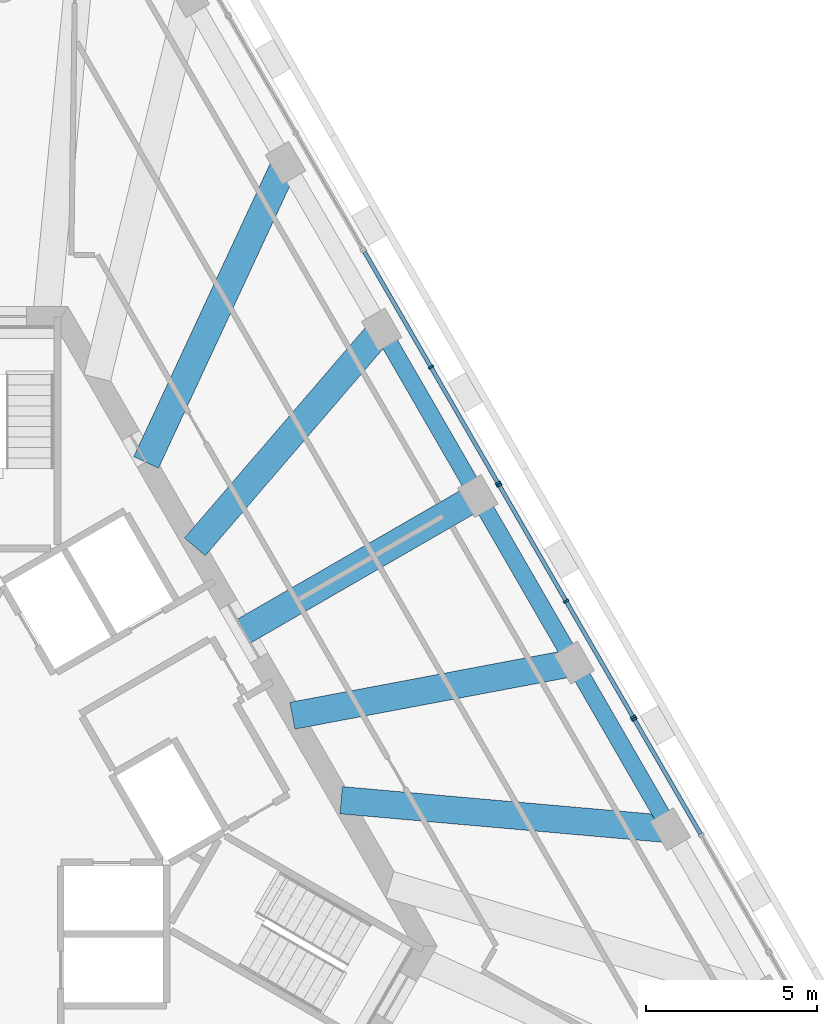
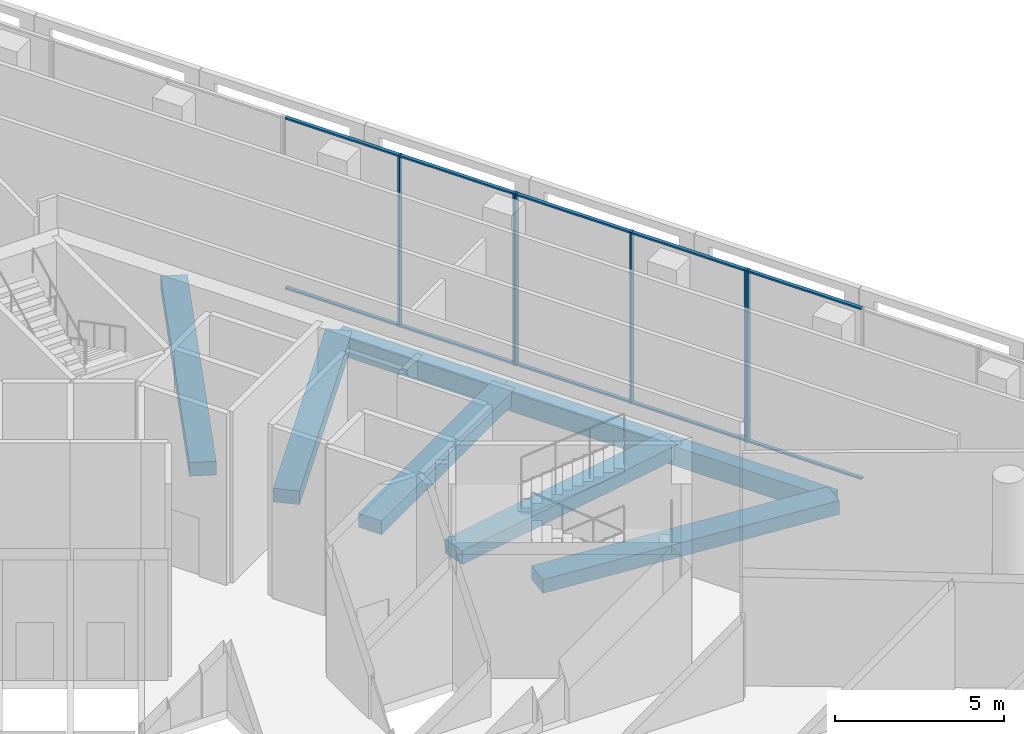
# One storey, part 6 of 16: 16 members, 8 beams, 3 elements without a shape of their own.
"""IFC4 building model written with IfcOpenShell, lengths in metres."""

from ifc_helpers import new_model, si_unit, direction, frame, origin, origin_2d, place, context, subcontext, project, spatial, rectangle, extrude, material, layer, layer_set, material_profile, profile_set, type_object, element, aggregate, save


model = new_model("IFC4")

# Units and contexts
model_context = context("Model", 3, precision=1e-05, world=origin(), true_north=direction((0.0, 1.0)))
body_context = subcontext(model_context, "Body", "Model", "MODEL_VIEW")
ifc_project = project(units=[si_unit("LENGTHUNIT", "METRE"), si_unit("AREAUNIT", "SQUARE_METRE"), si_unit("VOLUMEUNIT", "CUBIC_METRE"), si_unit("PLANEANGLEUNIT", "RADIAN"), si_unit("MASSUNIT", "GRAM", prefix="KILO")], contexts=[model_context])

# Site, building, storey
site_placement = place(None, origin())
site = spatial("IfcSite", under=ifc_project, at=site_placement, CompositionType="ELEMENT")
building_placement = place(site_placement, origin())
building = spatial("IfcBuilding", under=site, at=building_placement, Name="Triada Interchange Tower", CompositionType="ELEMENT")
storey_placement = place(building_placement, frame((0.0, 0.0, 261.800048828125)))
storey = spatial("IfcBuildingStorey", under=building, at=storey_placement, Name="L61", CompositionType="ELEMENT", Elevation=261.800048828125)

# Curtain wall, member
ifc_material_1 = material(Name="Aluminium framed glazing", Category="aluminium")
ifc_layer = layer(ifc_material_1, 0.199951171875)
ifc_layer_set = layer_set([ifc_layer], Name="Curtain wall Sky lobby glazing")
curtain_wall_type = type_object("IfcCurtainWallType", Name="Curtain wall Sky lobby glazing", PredefinedType="NOTDEFINED", material=ifc_layer_set)
curtain_wall_1_placement = place(storey_placement, origin())
curtain_wall_1 = element("IfcCurtainWall", 1, at=curtain_wall_1_placement, inside=storey, type_object=curtain_wall_type, Name="Sky lobby glazing CW218 L61", PredefinedType="NOTDEFINED")
ifc_material_2 = material(Name="Aluminium", Category="aluminium")
ifc_material_profile_1 = material_profile(ifc_material_2, rectangle(XDim=0.159912109375, YDim=0.06005859375, at=origin_2d()), Name="Aluminium mullion")
ifc_profile_set_1 = profile_set([ifc_material_profile_1], Name="Aluminium")
member_type_1 = type_object("IfcMemberType", Name="Mullion Sky lobby glazing 160x60", PredefinedType="MULLION", material=ifc_profile_set_1)
member_1_placement = place(storey_placement, frame((18.507080078125, 1.498046875, 0.0), z_axis=(0.0, 0.0, 1.0), x_axis=(-0.866025625136, -0.499999616608, 0.0)))
member_1 = element("IfcMember", 2, at=member_1_placement, type_object=member_type_1, Name="CW218 mullion 3", PredefinedType="MULLION", context=body_context, shape_type="SweptSolid", body=[
    extrude(rectangle(XDim=0.159912109375, YDim=0.06005859375, at=origin_2d()), origin(), (0.0, 0.0, 1.0), 6.199951171875),
])

# Curtain wall, members
curtain_wall_2_placement = place(storey_placement, origin())
curtain_wall_2 = element("IfcCurtainWall", 3, at=curtain_wall_2_placement, inside=storey, type_object=curtain_wall_type, Name="Sky lobby glazing CW219 L61", PredefinedType="NOTDEFINED")
member_2_placement = place(storey_placement, frame((18.471923828125, 1.557861328125, 0.0), z_axis=(0.0, 0.0, 1.0), x_axis=(-0.866025625136, -0.499999616608, 0.0)))
member_2 = element("IfcMember", 4, at=member_2_placement, type_object=member_type_1, Name="CW219 mullion 1", PredefinedType="MULLION", context=body_context, shape_type="SweptSolid", body=[
    extrude(rectangle(XDim=0.159912109375, YDim=0.06005859375, at=origin_2d()), origin(), (0.0, 0.0, 1.0), 6.199951171875),
])
member_3_placement = place(storey_placement, frame((16.509033203125, 4.9580078125, 0.0), z_axis=(0.0, 0.0, 1.0), x_axis=(-0.866025625136, -0.499999616608, 0.0)))
member_3 = element("IfcMember", 5, at=member_3_placement, type_object=member_type_1, Name="CW219 mullion 2", PredefinedType="MULLION", context=body_context, shape_type="SweptSolid", body=[
    extrude(rectangle(XDim=0.159912109375, YDim=0.06005859375, at=origin_2d()), origin(), (0.0, 0.0, 1.0), 6.199951171875),
])
member_4_placement = place(storey_placement, frame((14.5458984375, 8.35791015625, 0.0), z_axis=(0.0, 0.0, 1.0), x_axis=(-0.866025625136, -0.499999616608, 0.0)))
member_4 = element("IfcMember", 6, at=member_4_placement, type_object=member_type_1, Name="CW219 mullion 3", PredefinedType="MULLION", context=body_context, shape_type="SweptSolid", body=[
    extrude(rectangle(XDim=0.159912109375, YDim=0.06005859375, at=origin_2d()), origin(), (0.0, 0.0, 1.0), 6.199951171875),
])

curtain_wall_3_placement = place(storey_placement, origin())
curtain_wall_3 = element("IfcCurtainWall", 7, at=curtain_wall_3_placement, inside=storey, type_object=curtain_wall_type, Name="Sky lobby glazing CW220 L61", PredefinedType="NOTDEFINED")
member_5_placement = place(storey_placement, frame((14.510986328125, 8.41796875, 0.0), z_axis=(0.0, 0.0, 1.0), x_axis=(-0.866025625136, -0.499999616608, 0.0)))
member_5 = element("IfcMember", 8, at=member_5_placement, type_object=member_type_1, Name="CW220 mullion 1", PredefinedType="MULLION", context=body_context, shape_type="SweptSolid", body=[
    extrude(rectangle(XDim=0.159912109375, YDim=0.06005859375, at=origin_2d()), origin(), (0.0, 0.0, 1.0), 6.199951171875),
])
member_6_placement = place(storey_placement, frame((12.548095703125, 11.818115234375, 0.0), z_axis=(0.0, 0.0, 1.0), x_axis=(-0.866025625136, -0.499999616608, 0.0)))
member_6 = element("IfcMember", 9, at=member_6_placement, type_object=member_type_1, Name="CW220 mullion 2", PredefinedType="MULLION", context=body_context, shape_type="SweptSolid", body=[
    extrude(rectangle(XDim=0.159912109375, YDim=0.06005859375, at=origin_2d()), origin(), (0.0, 0.0, 1.0), 6.199951171875),
])

# Beams
ifc_material_3 = material(Name="Concrete C50/60", Category="concrete")
ifc_material_profile_2 = material_profile(ifc_material_3, rectangle(XDim=0.800048828125, YDim=0.5, at=origin_2d()), Name="RC 800x500")
ifc_profile_set_2 = profile_set([ifc_material_profile_2], Name="Concrete C50/60")
beam_type_1 = type_object("IfcBeamType", Name="Radial band beam D RC 800x500", PredefinedType="BEAM", material=ifc_profile_set_2)
beam_1_placement = place(storey_placement, frame((19.56005859375, -1.72705078125, -0.550048828125), z_axis=(-0.996128681073, 0.08790705742, 0.0), x_axis=(-0.08790705742, -0.996128681073, 0.0)))
element("IfcBeam", 10, at=beam_1_placement, inside=storey, type_object=beam_type_1, Name="Radial band beam BD23 L61", PredefinedType="BEAM", context=body_context, shape_type="SweptSolid", body=[
    extrude(rectangle(XDim=0.800048828125, YDim=0.5, at=origin_2d()), origin(), (0.0, 0.0, 1.0), 9.681640625),
])
beam_2_placement = place(storey_placement, frame((16.740966796875, 3.156005859375, -0.550048828125), z_axis=(-0.982692715217, -0.185243157657, 0.0), x_axis=(0.185243157657, -0.982692715217, 0.0)))
element("IfcBeam", 11, at=beam_2_placement, inside=storey, type_object=beam_type_1, Name="Radial band beam BD24 L61", PredefinedType="BEAM", context=body_context, shape_type="SweptSolid", body=[
    extrude(rectangle(XDim=0.800048828125, YDim=0.5, at=origin_2d()), origin(), (0.0, 0.0, 1.0), 8.399169921875),
])
beam_3_placement = place(storey_placement, frame((13.922119140625, 8.0380859375, -0.550048828125), z_axis=(-0.866014770849, -0.500018416333, 0.0), x_axis=(0.500018416333, -0.866014770849, 0.0)))
element("IfcBeam", 12, at=beam_3_placement, inside=storey, type_object=beam_type_1, Name="Radial band beam BD25 L61", PredefinedType="BEAM", context=body_context, shape_type="SweptSolid", body=[
    extrude(rectangle(XDim=0.800048828125, YDim=0.5, at=origin_2d()), origin(), (0.0, 0.0, 1.0), 7.926025390625),
])
beam_4_placement = place(storey_placement, frame((11.10302734375, 12.919921875, -0.550048828125), z_axis=(-0.65176752704, -0.758418809562, 0.0), x_axis=(0.758418809562, -0.65176752704, 0.0)))
element("IfcBeam", 13, at=beam_4_placement, inside=storey, type_object=beam_type_1, Name="Radial band beam BD26 L61", PredefinedType="BEAM", context=body_context, shape_type="SweptSolid", body=[
    extrude(rectangle(XDim=0.800048828125, YDim=0.5, at=origin_2d()), origin(), (0.0, 0.0, 1.0), 8.39892578125),
])
beam_5_placement = place(storey_placement, frame((8.283935546875, 17.802978515625, -0.550048828125), z_axis=(-0.421867684671, -0.906657408633, 0.0), x_axis=(0.906657408633, -0.421867684671, 0.0)))
element("IfcBeam", 14, at=beam_5_placement, inside=storey, type_object=beam_type_1, Name="Radial band beam BD27 L61", PredefinedType="BEAM", context=body_context, shape_type="SweptSolid", body=[
    extrude(rectangle(XDim=0.800048828125, YDim=0.5, at=origin_2d()), origin(), (0.0, 0.0, 1.0), 9.6806640625),
])
ifc_material_profile_3 = material_profile(ifc_material_3, rectangle(XDim=0.5, YDim=0.699951171875, at=origin_2d()), Name="RC 500x700")
ifc_profile_set_3 = profile_set([ifc_material_profile_3], Name="Concrete C50/60")
beam_type_2 = type_object("IfcBeamType", Name="Spandrel beam D RC 500x700", PredefinedType="BEAM", material=ifc_profile_set_3)
beam_6_placement = place(storey_placement, frame((19.56005859375, -1.72705078125, -0.650146484375), z_axis=(-0.499981075744, 0.866036329433, 0.0), x_axis=(-0.866036329433, -0.499981075744, 0.0)))
element("IfcBeam", 15, at=beam_6_placement, inside=storey, type_object=beam_type_2, Name="Spandrel beam ED23 L61", PredefinedType="BEAM", context=body_context, shape_type="SweptSolid", body=[
    extrude(rectangle(XDim=0.5, YDim=0.699951171875, at=origin_2d()), origin(), (0.0, 0.0, 1.0), 5.638427734375),
])
for number, where, z_axis, x_axis, name in (
    (16, (16.740966796875, 3.156005859375, -0.650146484375), (-0.500023602187, 0.866011776627, 0.0), (-0.866011776627, -0.500023602187, 0.0), "Spandrel beam ED24 L61"),
    (17, (13.922119140625, 8.0380859375, -0.650146484375), (-0.500074834523, 0.865982193741, 0.0), (-0.865982193741, -0.500074834523, 0.0), "Spandrel beam ED25 L61"),
):
    element("IfcBeam", number, at=place(storey_placement, frame(where, z_axis=z_axis, x_axis=x_axis)), inside=storey, type_object=beam_type_2, Name=name, PredefinedType="BEAM", context=body_context, shape_type="SweptSolid", body=[
        extrude(rectangle(XDim=0.5, YDim=0.699951171875, at=origin_2d()), origin(), (0.0, 0.0, 1.0), 5.637451171875),
    ])

# Member
ifc_material_profile_4 = material_profile(ifc_material_2, rectangle(XDim=0.1201171875, YDim=0.06005859375, at=origin_2d()), Name="Aluminium transom")
ifc_profile_set_4 = profile_set([ifc_material_profile_4], Name="Aluminium")
member_type_2 = type_object("IfcMemberType", Name="Transom Sky lobby glazing 120x60", PredefinedType="USERDEFINED", material=ifc_profile_set_4)
member_7_placement = place(storey_placement, frame((20.455078125, -1.8759765625, 0.030029296875), z_axis=(-0.500037689849, 0.866003642447, 0.0), x_axis=(-0.866003642447, -0.500037689849, 0.0)))
member_7 = element("IfcMember", 18, at=member_7_placement, type_object=member_type_2, Name="CW218 transom 2.1", ObjectType="TRANSOM", PredefinedType="USERDEFINED", context=body_context, shape_type="SweptSolid", body=[
    extrude(rectangle(XDim=0.1201171875, YDim=0.06005859375, at=origin_2d()), origin(), (0.0, 0.0, 1.0), 3.865966796875),
])

member_8_placement = place(storey_placement, frame((20.455078125, -1.8759765625, 6.169921875), z_axis=(-0.500037689849, 0.866003642447, 0.0), x_axis=(-0.866003642447, -0.500037689849, 0.0)))
member_8 = element("IfcMember", 19, at=member_8_placement, type_object=member_type_2, Name="CW218 transom 2.2", ObjectType="TRANSOM", PredefinedType="USERDEFINED", context=body_context, shape_type="SweptSolid", body=[
    extrude(rectangle(XDim=0.1201171875, YDim=0.06005859375, at=origin_2d()), origin(), (0.0, 0.0, 1.0), 3.865966796875),
])

aggregate(curtain_wall_1, [member_1, member_7, member_8])

member_9_placement = place(storey_placement, frame((18.45703125, 1.583984375, 0.030029296875), z_axis=(-0.500010344094, 0.866019431537, 0.0), x_axis=(-0.866019431537, -0.500010344094, 0.0)))
member_9 = element("IfcMember", 20, at=member_9_placement, type_object=member_type_2, Name="CW219 transom 1.1", ObjectType="TRANSOM", PredefinedType="USERDEFINED", context=body_context, shape_type="SweptSolid", body=[
    extrude(rectangle(XDim=0.1201171875, YDim=0.06005859375, at=origin_2d()), origin(), (0.0, 0.0, 1.0), 3.8662109375),
])

member_10_placement = place(storey_placement, frame((18.45703125, 1.583984375, 6.169921875), z_axis=(-0.500010344094, 0.866019431537, 0.0), x_axis=(-0.866019431537, -0.500010344094, 0.0)))
member_10 = element("IfcMember", 21, at=member_10_placement, type_object=member_type_2, Name="CW219 transom 1.2", ObjectType="TRANSOM", PredefinedType="USERDEFINED", context=body_context, shape_type="SweptSolid", body=[
    extrude(rectangle(XDim=0.1201171875, YDim=0.06005859375, at=origin_2d()), origin(), (0.0, 0.0, 1.0), 3.8662109375),
])

member_11_placement = place(storey_placement, frame((16.493896484375, 4.98388671875, 0.030029296875), z_axis=(-0.49996298108, 0.866046775613, 0.0), x_axis=(-0.866046775613, -0.49996298108, 0.0)))
member_11 = element("IfcMember", 22, at=member_11_placement, type_object=member_type_2, Name="CW219 transom 2.1", ObjectType="TRANSOM", PredefinedType="USERDEFINED", context=body_context, shape_type="SweptSolid", body=[
    extrude(rectangle(XDim=0.1201171875, YDim=0.06005859375, at=origin_2d()), origin(), (0.0, 0.0, 1.0), 3.865966796875),
])

member_12_placement = place(storey_placement, frame((16.493896484375, 4.98388671875, 6.169921875), z_axis=(-0.49996298108, 0.866046775613, 0.0), x_axis=(-0.866046775613, -0.49996298108, 0.0)))
member_12 = element("IfcMember", 23, at=member_12_placement, type_object=member_type_2, Name="CW219 transom 2.2", ObjectType="TRANSOM", PredefinedType="USERDEFINED", context=body_context, shape_type="SweptSolid", body=[
    extrude(rectangle(XDim=0.1201171875, YDim=0.06005859375, at=origin_2d()), origin(), (0.0, 0.0, 1.0), 3.865966796875),
])

aggregate(curtain_wall_2, [member_2, member_3, member_4, member_9, member_10, member_11, member_12])

member_13_placement = place(storey_placement, frame((14.49609375, 8.44384765625, 0.030029296875), z_axis=(-0.500010344094, 0.866019431537, 0.0), x_axis=(-0.866019431537, -0.500010344094, 0.0)))
member_13 = element("IfcMember", 24, at=member_13_placement, type_object=member_type_2, Name="CW220 transom 1.1", ObjectType="TRANSOM", PredefinedType="USERDEFINED", context=body_context, shape_type="SweptSolid", body=[
    extrude(rectangle(XDim=0.1201171875, YDim=0.06005859375, at=origin_2d()), origin(), (0.0, 0.0, 1.0), 3.8662109375),
])

member_14_placement = place(storey_placement, frame((14.49609375, 8.44384765625, 6.169921875), z_axis=(-0.500010344094, 0.866019431537, 0.0), x_axis=(-0.866019431537, -0.500010344094, 0.0)))
member_14 = element("IfcMember", 25, at=member_14_placement, type_object=member_type_2, Name="CW220 transom 1.2", ObjectType="TRANSOM", PredefinedType="USERDEFINED", context=body_context, shape_type="SweptSolid", body=[
    extrude(rectangle(XDim=0.1201171875, YDim=0.06005859375, at=origin_2d()), origin(), (0.0, 0.0, 1.0), 3.8662109375),
])

member_15_placement = place(storey_placement, frame((12.532958984375, 11.843994140625, 0.030029296875), z_axis=(-0.49996298108, 0.866046775613, 0.0), x_axis=(-0.866046775613, -0.49996298108, 0.0)))
member_15 = element("IfcMember", 26, at=member_15_placement, type_object=member_type_2, Name="CW220 transom 2.1", ObjectType="TRANSOM", PredefinedType="USERDEFINED", context=body_context, shape_type="SweptSolid", body=[
    extrude(rectangle(XDim=0.1201171875, YDim=0.06005859375, at=origin_2d()), origin(), (0.0, 0.0, 1.0), 3.865966796875),
])

member_16_placement = place(storey_placement, frame((12.532958984375, 11.843994140625, 6.169921875), z_axis=(-0.49996298108, 0.866046775613, 0.0), x_axis=(-0.866046775613, -0.49996298108, 0.0)))
member_16 = element("IfcMember", 27, at=member_16_placement, type_object=member_type_2, Name="CW220 transom 2.2", ObjectType="TRANSOM", PredefinedType="USERDEFINED", context=body_context, shape_type="SweptSolid", body=[
    extrude(rectangle(XDim=0.1201171875, YDim=0.06005859375, at=origin_2d()), origin(), (0.0, 0.0, 1.0), 3.865966796875),
])

aggregate(curtain_wall_3, [member_5, member_6, member_13, member_14, member_15, member_16])

save(model, "model.ifc")
